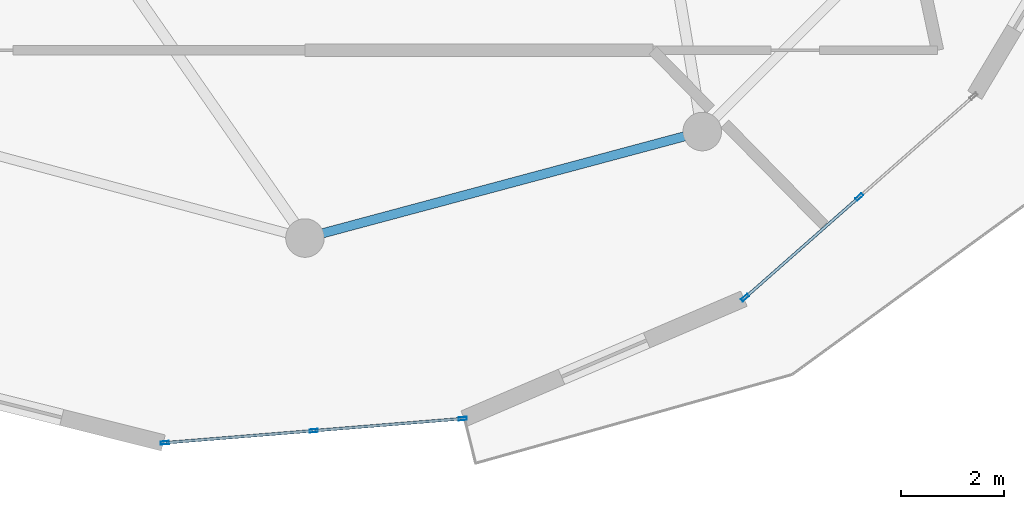
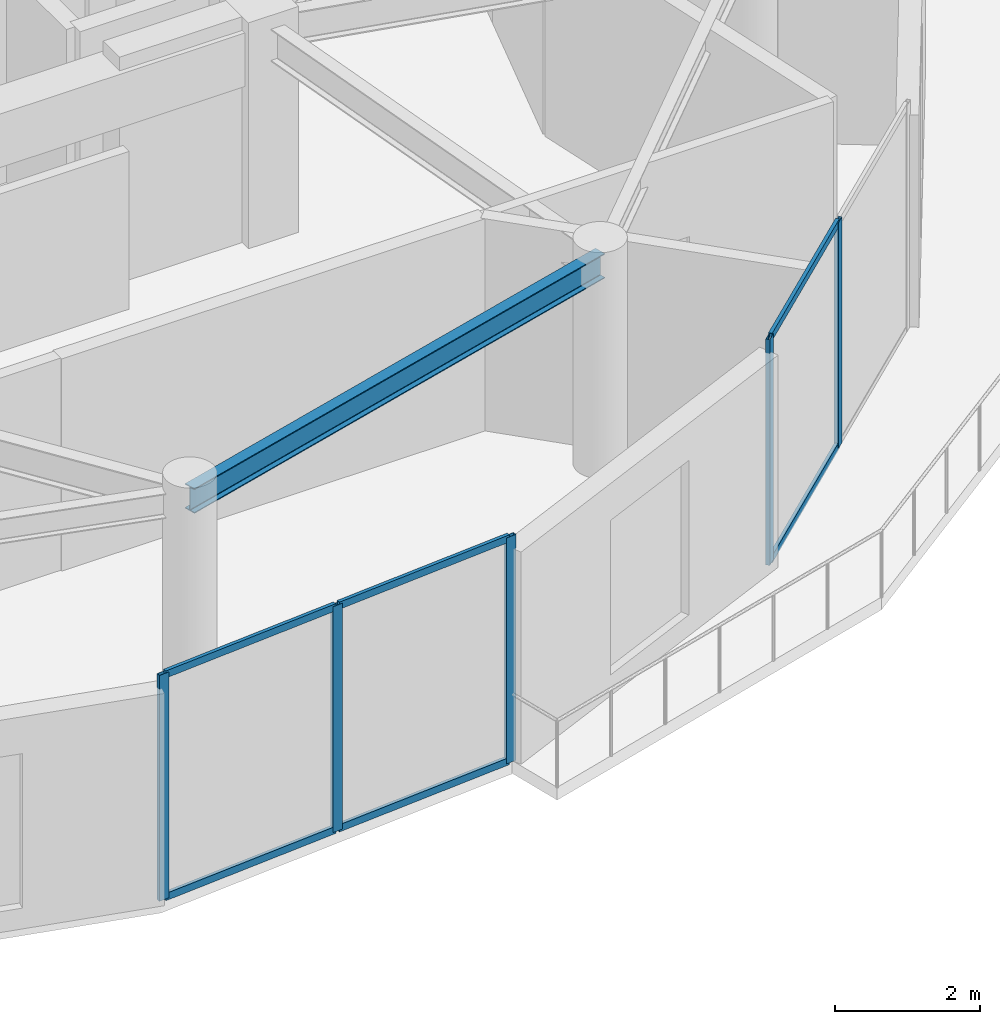
# One storey, part 5 of 22: 11 members, 1 beam, 2 elements without a shape of their own.
"""IFC4 building model written with IfcOpenShell, lengths in metres."""

from ifc_helpers import new_model, si_unit, direction, frame, origin, origin_2d, place, context, subcontext, project, spatial, hollow_rectangle, i_section, extrude, source, transform, mapped, material, layer, layer_set, material_profile, profile_set, type_object, element, aggregate, save


model = new_model("IFC4")

# Units and contexts
model_context = context("Model", 3, precision=1e-05, world=origin(), true_north=direction((0.0, 1.0)))
body_context = subcontext(model_context, "Body", "Model", "MODEL_VIEW")
ifc_project = project(units=[si_unit("LENGTHUNIT", "METRE"), si_unit("AREAUNIT", "SQUARE_METRE"), si_unit("VOLUMEUNIT", "CUBIC_METRE"), si_unit("PLANEANGLEUNIT", "RADIAN"), si_unit("MASSUNIT", "GRAM", prefix="KILO")], contexts=[model_context])

# Site, building, storey
site_placement = place(None, origin())
site = spatial("IfcSite", under=ifc_project, at=site_placement, CompositionType="ELEMENT")
building_placement = place(site_placement, origin())
building = spatial("IfcBuilding", under=site, at=building_placement, Name="Solvirekh Grand Hotel", CompositionType="ELEMENT")
storey_placement = place(building_placement, frame((0.0, 0.0, 293.39990234375)))
storey = spatial("IfcBuildingStorey", under=building, at=storey_placement, Name="L76", CompositionType="ELEMENT", Elevation=293.39990234375)

# Beam
ifc_material_1 = material(Name="Steel S355", Category="steel")
ifc_material_profile_1 = material_profile(ifc_material_1, i_section(OverallWidth=0.180908203125, OverallDepth=0.4169921875, WebThickness=0.010009765625, FlangeThickness=0.01611328125, FilletRadius=0.011962890625, at=origin_2d()), Name="W410X85")
ifc_profile_set_1 = profile_set([ifc_material_profile_1], Name="Steel S355")
beam_type = type_object("IfcBeamType", Name="Spandrel_Ring_W410", PredefinedType="SPANDREL", material=ifc_profile_set_1)
beam_placement = place(storey_placement, frame((0.0, -15.449951171875, 3.362060546875), z_axis=(0.965921616143, 0.258834757072, 0.0), x_axis=(-0.258834757072, 0.965921616143, 0.0)))
element("IfcBeam", 1, at=beam_placement, inside=storey, type_object=beam_type, Name="L76 perimeter spandrel beam 10", PredefinedType="SPANDREL", context=body_context, shape_type="SweptSolid", body=[
    extrude(i_section(OverallWidth=0.180908203125, OverallDepth=0.4169921875, WebThickness=0.010009765625, FlangeThickness=0.01611328125, FilletRadius=0.011962890625, at=origin_2d()), origin(), (0.0, 0.0, 1.0), 7.99755859375),
])

# Curtain wall, members
ifc_material_2 = material(Name="Anodized Bronze Aluminium 6063-T6", Category="aluminium")
ifc_layer = layer(ifc_material_2, 0.159912109375)
ifc_layer_set = layer_set([ifc_layer], Name="Anodized Bronze Aluminium 6063-T6")
curtain_wall_type = type_object("IfcCurtainWallType", Name="CW_Sys4_HighZoneFlushBronzeCW", PredefinedType="NOTDEFINED", material=ifc_layer_set)
curtain_wall_1_placement = place(storey_placement, origin())
curtain_wall_1 = element("IfcCurtainWall", 2, at=curtain_wall_1_placement, inside=storey, type_object=curtain_wall_type, Name="L76 unitised bronze-glass curtain wall CW-L76-C01", PredefinedType="NOTDEFINED")
ifc_material_profile_2 = material_profile(ifc_material_2, hollow_rectangle(XDim=0.06005859375, YDim=0.159912109375, WallThickness=0.0048828125, at=origin_2d()), Name="ALU RHS 160X60X5")
ifc_profile_set_2 = profile_set([ifc_material_profile_2], Name="Anodized Bronze Aluminium 6063-T6")
member_type_1 = type_object("IfcMemberType", Name="CWMullion_Sys4", PredefinedType="MULLION", material=ifc_profile_set_2)
shared_shape_1 = source(origin(), body_context, "Body", "SweptSolid", [
    extrude(hollow_rectangle(XDim=0.06005859375, YDim=0.159912109375, WallThickness=0.0048828125, at=origin_2d()), origin(), (0.0, 0.0, 1.0), 3.800048828125),
])
member_1_placement = place(storey_placement, frame((-2.72509765625, -19.431640625, 0.0), z_axis=(0.0, 0.0, 1.0), x_axis=(-0.080889027676, 0.996723113609, 0.0)))
member_1 = element("IfcMember", 3, at=member_1_placement, type_object=member_type_1, Name="U04 mullion 1", PredefinedType="MULLION", context=body_context, shape_type="MappedRepresentation", body=[
    mapped(shared_shape_1, transform((0.0, 0.0, 0.0), x_axis=(1.0, 0.0, 0.0), y_axis=(0.0, 1.0, 0.0), z_axis=(0.0, 0.0, 1.0), scale=1.0)),
])
member_2_placement = place(storey_placement, frame((0.17138671875, -19.196533203125, 0.0), z_axis=(0.0, 0.0, 1.0), x_axis=(-0.080889027676, 0.996723113609, 0.0)))
member_2 = element("IfcMember", 4, at=member_2_placement, type_object=member_type_1, Name="U04 mullion 2", PredefinedType="MULLION", context=body_context, shape_type="MappedRepresentation", body=[
    mapped(shared_shape_1, transform((0.0, 0.0, 0.0), x_axis=(1.0, 0.0, 0.0), y_axis=(0.0, 1.0, 0.0), z_axis=(0.0, 0.0, 1.0), scale=1.0)),
])
member_3_placement = place(storey_placement, frame((3.068115234375, -18.96142578125, 0.0), z_axis=(0.0, 0.0, 1.0), x_axis=(-0.080889027676, 0.996723113609, 0.0)))
member_3 = element("IfcMember", 5, at=member_3_placement, type_object=member_type_1, Name="U04 mullion 3", PredefinedType="MULLION", context=body_context, shape_type="MappedRepresentation", body=[
    mapped(shared_shape_1, transform((0.0, 0.0, 0.0), x_axis=(1.0, 0.0, 0.0), y_axis=(0.0, 1.0, 0.0), z_axis=(0.0, 0.0, 1.0), scale=1.0)),
])

curtain_wall_2_placement = place(storey_placement, origin())
curtain_wall_2 = element("IfcCurtainWall", 6, at=curtain_wall_2_placement, inside=storey, type_object=curtain_wall_type, Name="L76 unitised bronze-glass curtain wall CW-L76-C03", PredefinedType="NOTDEFINED")
member_4_placement = place(storey_placement, frame((8.5576171875, -16.609130859375, 0.0), z_axis=(0.0, 0.0, 1.0), x_axis=(-0.661350800605, 0.750076741767, 0.0)))
member_4 = element("IfcMember", 7, at=member_4_placement, type_object=member_type_1, Name="U04 mullion 1", PredefinedType="MULLION", context=body_context, shape_type="MappedRepresentation", body=[
    mapped(shared_shape_1, transform((0.0, 0.0, 0.0), x_axis=(1.0, 0.0, 0.0), y_axis=(0.0, 1.0, 0.0), z_axis=(0.0, 0.0, 1.0), scale=1.0)),
])
member_5_placement = place(storey_placement, frame((10.779541015625, -14.64990234375, 0.0), z_axis=(0.0, 0.0, 1.0), x_axis=(-0.661350800605, 0.750076741767, 0.0)))
member_5 = element("IfcMember", 8, at=member_5_placement, type_object=member_type_1, Name="U04 mullion 2", PredefinedType="MULLION", context=body_context, shape_type="MappedRepresentation", body=[
    mapped(shared_shape_1, transform((0.0, 0.0, 0.0), x_axis=(1.0, 0.0, 0.0), y_axis=(0.0, 1.0, 0.0), z_axis=(0.0, 0.0, 1.0), scale=1.0)),
])

# Member
ifc_material_profile_3 = material_profile(ifc_material_2, hollow_rectangle(XDim=0.054931640625, YDim=0.1201171875, WallThickness=0.00390625, at=origin_2d()), Name="ALU RHS 120X55X4")
ifc_profile_set_3 = profile_set([ifc_material_profile_3], Name="Anodized Bronze Aluminium 6063-T6")
member_type_2 = type_object("IfcMemberType", Name="CWTransom_Sys4", PredefinedType="USERDEFINED", material=ifc_profile_set_3)
shared_shape_2 = source(origin(), body_context, "Body", "SweptSolid", [
    extrude(hollow_rectangle(XDim=0.054931640625, YDim=0.1201171875, WallThickness=0.00390625, at=origin_2d()), origin(), (0.0, 0.0, 1.0), 2.845947265625),
])
member_6_placement = place(storey_placement, frame((0.201416015625, -19.194091796875, 0.027587890625), z_axis=(0.996722695289, 0.080894182086, 0.0), x_axis=(-0.080894182086, 0.996722695289, 0.0)))
member_6 = element("IfcMember", 9, at=member_6_placement, type_object=member_type_2, Name="U04 transom 2.1", ObjectType="TRANSOM", PredefinedType="USERDEFINED", context=body_context, shape_type="MappedRepresentation", body=[
    mapped(shared_shape_2, transform((0.0, 0.0, 0.0), x_axis=(1.0, 0.0, 0.0), y_axis=(0.0, 1.0, 0.0), z_axis=(0.0, 0.0, 1.0), scale=1.0)),
])

member_7_placement = place(storey_placement, frame((0.201416015625, -19.194091796875, 3.772705078125), z_axis=(0.996722695289, 0.080894182086, 0.0), x_axis=(-0.080894182086, 0.996722695289, 0.0)))
member_7 = element("IfcMember", 10, at=member_7_placement, type_object=member_type_2, Name="U04 transom 2.2", ObjectType="TRANSOM", PredefinedType="USERDEFINED", context=body_context, shape_type="MappedRepresentation", body=[
    mapped(shared_shape_2, transform((0.0, 0.0, 0.0), x_axis=(1.0, 0.0, 0.0), y_axis=(0.0, 1.0, 0.0), z_axis=(0.0, 0.0, 1.0), scale=1.0)),
])

shared_shape_3 = source(origin(), body_context, "Body", "SweptSolid", [
    extrude(hollow_rectangle(XDim=0.054931640625, YDim=0.1201171875, WallThickness=0.00390625, at=origin_2d()), origin(), (0.0, 0.0, 1.0), 2.90234375),
])
member_8_placement = place(storey_placement, frame((8.580078125, -16.58935546875, 0.027587890625), z_axis=(0.750085739894, 0.661340595161, 0.0), x_axis=(-0.661340595161, 0.750085739894, 0.0)))
member_8 = element("IfcMember", 11, at=member_8_placement, type_object=member_type_2, Name="U04 transom 1.1", ObjectType="TRANSOM", PredefinedType="USERDEFINED", context=body_context, shape_type="MappedRepresentation", body=[
    mapped(shared_shape_3, transform((0.0, 0.0, 0.0), x_axis=(1.0, 0.0, 0.0), y_axis=(0.0, 1.0, 0.0), z_axis=(0.0, 0.0, 1.0), scale=1.0)),
])

member_9_placement = place(storey_placement, frame((8.580078125, -16.58935546875, 3.772705078125), z_axis=(0.750085739894, 0.661340595161, 0.0), x_axis=(-0.661340595161, 0.750085739894, 0.0)))
member_9 = element("IfcMember", 12, at=member_9_placement, type_object=member_type_2, Name="U04 transom 1.2", ObjectType="TRANSOM", PredefinedType="USERDEFINED", context=body_context, shape_type="MappedRepresentation", body=[
    mapped(shared_shape_3, transform((0.0, 0.0, 0.0), x_axis=(1.0, 0.0, 0.0), y_axis=(0.0, 1.0, 0.0), z_axis=(0.0, 0.0, 1.0), scale=1.0)),
])

aggregate(curtain_wall_2, [member_4, member_5, member_8, member_9])

shared_shape_4 = source(origin(), body_context, "Body", "SweptSolid", [
    extrude(hollow_rectangle(XDim=0.054931640625, YDim=0.1201171875, WallThickness=0.00390625, at=origin_2d()), origin(), (0.0, 0.0, 1.0), 2.84619140625),
])
member_10_placement = place(storey_placement, frame((-2.6953125, -19.42919921875, 0.027587890625), z_axis=(0.996723256576, 0.080887266003, 0.0), x_axis=(-0.080887266003, 0.996723256576, 0.0)))
member_10 = element("IfcMember", 13, at=member_10_placement, type_object=member_type_2, Name="U04 transom 1.1", ObjectType="TRANSOM", PredefinedType="USERDEFINED", context=body_context, shape_type="MappedRepresentation", body=[
    mapped(shared_shape_4, transform((0.0, 0.0, 0.0), x_axis=(1.0, 0.0, 0.0), y_axis=(0.0, 1.0, 0.0), z_axis=(0.0, 0.0, 1.0), scale=1.0)),
])

member_11_placement = place(storey_placement, frame((-2.6953125, -19.42919921875, 3.772705078125), z_axis=(0.996723256576, 0.080887266003, 0.0), x_axis=(-0.080887266003, 0.996723256576, 0.0)))
member_11 = element("IfcMember", 14, at=member_11_placement, type_object=member_type_2, Name="U04 transom 1.2", ObjectType="TRANSOM", PredefinedType="USERDEFINED", context=body_context, shape_type="MappedRepresentation", body=[
    mapped(shared_shape_4, transform((0.0, 0.0, 0.0), x_axis=(1.0, 0.0, 0.0), y_axis=(0.0, 1.0, 0.0), z_axis=(0.0, 0.0, 1.0), scale=1.0)),
])

aggregate(curtain_wall_1, [member_1, member_2, member_3, member_10, member_11, member_6, member_7])

save(model, "model.ifc")
